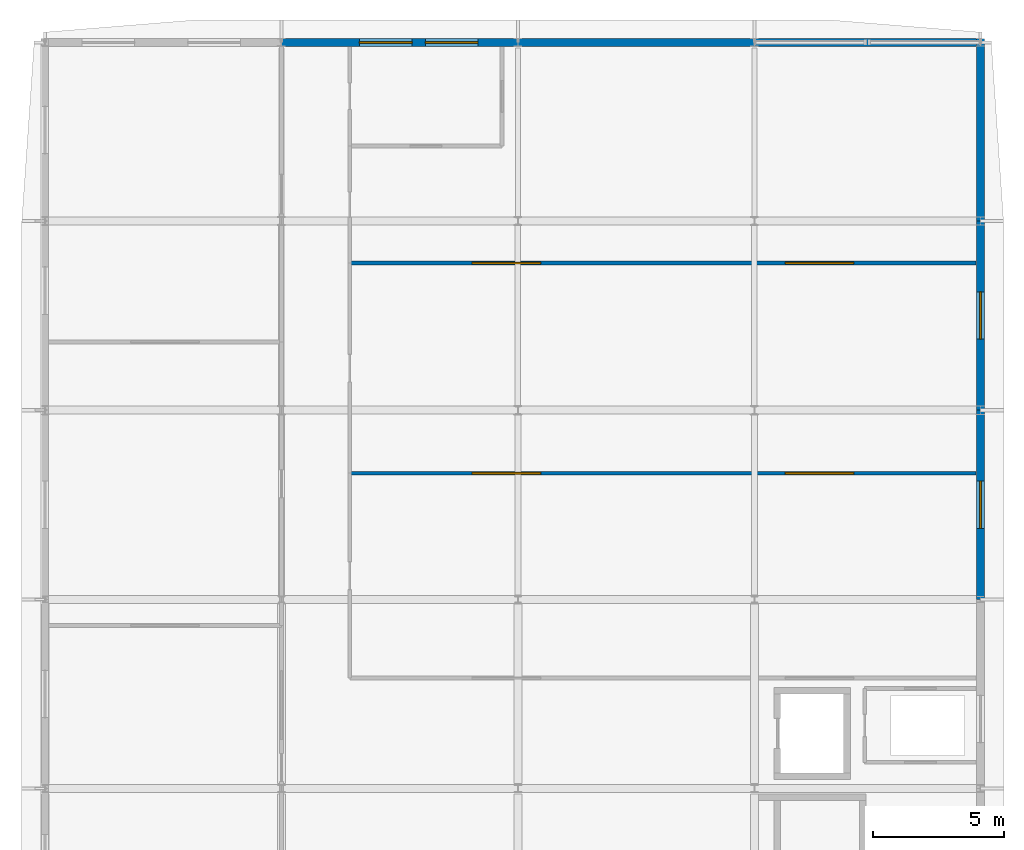
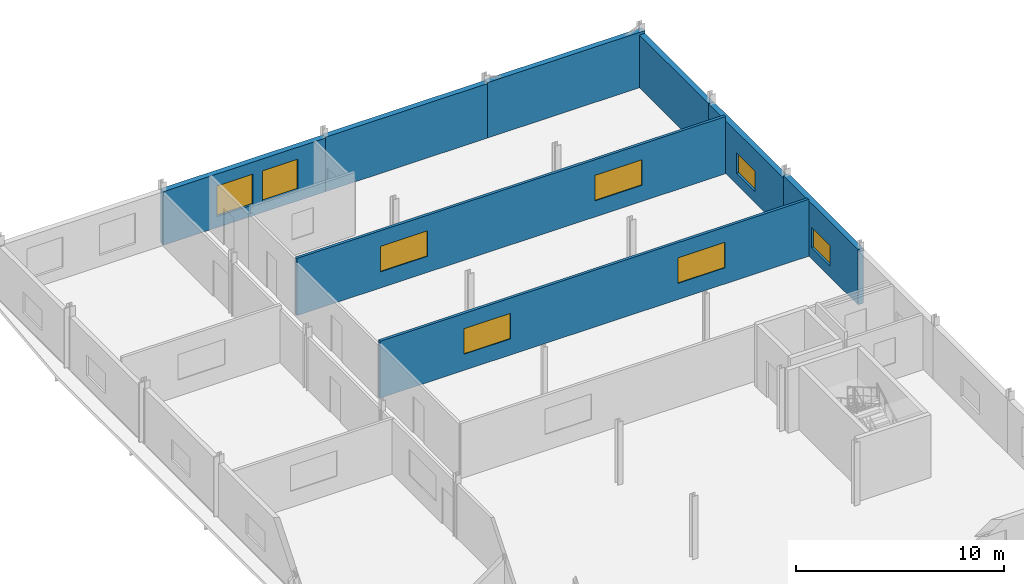
# One storey, part 26 of 30: 8 walls, 8 windows, 8 openings.
"""IFC4 building model written with IfcOpenShell, lengths in metres."""

from ifc_helpers import new_model, si_unit, direction, frame, frame_2d, origin, place, context, subcontext, project, spatial, rectangle, extrude, material, layer, layer_set, type_object, element, fill, save


model = new_model("IFC4")

# Units and contexts
model_context = context("Model", 3, precision=1e-05, world=origin(), true_north=direction((0.0, 1.0)))
body_context = subcontext(model_context, "Body", "Model", "MODEL_VIEW")
ifc_project = project(units=[si_unit("LENGTHUNIT", "METRE"), si_unit("AREAUNIT", "SQUARE_METRE"), si_unit("VOLUMEUNIT", "CUBIC_METRE"), si_unit("PLANEANGLEUNIT", "RADIAN"), si_unit("MASSUNIT", "GRAM", prefix="KILO")], contexts=[model_context])

# Site, building, storey
site_placement = place(None, origin())
site = spatial("IfcSite", under=ifc_project, at=site_placement, CompositionType="ELEMENT")
building_placement = place(site_placement, origin())
building = spatial("IfcBuilding", under=site, at=building_placement, Name="Vinh Khe Railworks Police Headquarters", CompositionType="ELEMENT")
storey_placement = place(building_placement, frame((0.0, 0.0, 21.0)))
storey = spatial("IfcBuildingStorey", under=building, at=storey_placement, Name="L05", CompositionType="ELEMENT", Elevation=21.0)

# Wall, opening, window
ifc_material_1 = material(Name="Clay brickwork", Category="masonry")
ifc_layer_1 = layer(ifc_material_1, 0.300048828125)
ifc_layer_set_1 = layer_set([ifc_layer_1], Name="Clay brickwork")
wall_type_1 = type_object("IfcWallType", Name="EW-BRK-300", PredefinedType="SOLIDWALL", material=ifc_layer_set_1)
wall_1_placement = place(storey_placement, frame((113.60009765625, 145.199951171875, 0.0), z_axis=(0.0, 0.0, 1.0), x_axis=(0.0, 1.0, 0.0)))
wall_1 = element("IfcWall", 1, at=wall_1_placement, inside=storey, type_object=wall_type_1, Name="Exterior Brick Wall EW-L05-V6E-04", PredefinedType="SOLIDWALL", context=body_context, shape_type="SweptSolid", body=[
    extrude(rectangle(XDim=7.199951171875, YDim=0.300048828125, at=frame_2d((3.60009765625, 0.0))), origin(), (0.0, 0.0, 1.0), 3.2451171875),
])
opening_1_placement = place(wall_1_placement, frame((2.699951171875, 0.0, 0.64990234375)))
opening_1 = element("IfcOpeningElement", 2, at=opening_1_placement, cuts=wall_1, Name="Opening WN-08", PredefinedType="OPENING", context=body_context, shape_type="SweptSolid", body=[
    extrude(rectangle(XDim=1.800048828125, YDim=1.199951171875, at=frame_2d((0.89990234375, 0.60009765625))), frame((0.0, 0.1650390625, 0.0), z_axis=(0.0, -1.0, 0.0), x_axis=(1.0, 0.0, 0.0)), (0.0, 0.0, 1.0), 0.329833984375),
])
ifc_material_2 = material(Name="Double-glazed solar-control glass in dark steel frame", Category="steel")
window_type_1 = type_object("IfcWindowType", Name="WIN-WN-08", PartitioningType="SINGLE_PANEL", PredefinedType="WINDOW", material=ifc_material_2)
window_1_placement = place(opening_1_placement, origin())
window_1 = element("IfcWindow", 3, at=window_1_placement, inside=storey, type_object=window_type_1, Name="Casement Window WN-08", OverallHeight=1.199951171875, OverallWidth=1.800048828125, PartitioningType="SINGLE_PANEL", PredefinedType="WINDOW", context=body_context, shape_type="SweptSolid", body=[
    extrude(rectangle(XDim=1.800048828125, YDim=1.199951171875, at=frame_2d((0.89990234375, 0.60009765625))), frame((0.0, 0.030029296875, 0.0), z_axis=(0.0, -1.0, 0.0), x_axis=(1.0, 0.0, 0.0)), (0.0, 0.0, 1.0), 0.06005859375),
])
fill(opening_1, window_1)

wall_2_placement = place(storey_placement, frame((113.60009765625, 152.39990234375, 0.0), z_axis=(0.0, 0.0, 1.0), x_axis=(0.0, 1.0, 0.0)))
wall_2 = element("IfcWall", 4, at=wall_2_placement, inside=storey, type_object=wall_type_1, Name="Exterior Brick Wall EW-L05-V6E-05", PredefinedType="SOLIDWALL", context=body_context, shape_type="SweptSolid", body=[
    extrude(rectangle(XDim=7.2001953125, YDim=0.300048828125, at=frame_2d((3.60009765625, 0.0))), origin(), (0.0, 0.0, 1.0), 3.094970703125),
])
opening_2_placement = place(wall_2_placement, frame((2.699951171875, 0.0, 0.64990234375)))
opening_2 = element("IfcOpeningElement", 5, at=opening_2_placement, cuts=wall_2, Name="Opening WN-08", PredefinedType="OPENING", context=body_context, shape_type="SweptSolid", body=[
    extrude(rectangle(XDim=1.800048828125, YDim=1.199951171875, at=frame_2d((0.89990234375, 0.60009765625))), frame((0.0, 0.1650390625, 0.0), z_axis=(0.0, -1.0, 0.0), x_axis=(1.0, 0.0, 0.0)), (0.0, 0.0, 1.0), 0.329833984375),
])
window_2_placement = place(opening_2_placement, origin())
window_2 = element("IfcWindow", 6, at=window_2_placement, inside=storey, type_object=window_type_1, Name="Casement Window WN-08", OverallHeight=1.199951171875, OverallWidth=1.800048828125, PartitioningType="SINGLE_PANEL", PredefinedType="WINDOW", context=body_context, shape_type="SweptSolid", body=[
    extrude(rectangle(XDim=1.800048828125, YDim=1.199951171875, at=frame_2d((0.89990234375, 0.60009765625))), frame((0.0, 0.030029296875, 0.0), z_axis=(0.0, -1.0, 0.0), x_axis=(1.0, 0.0, 0.0)), (0.0, 0.0, 1.0), 0.06005859375),
])
fill(opening_2, window_2)

# Wall
wall_3_placement = place(storey_placement, frame((113.60009765625, 159.60009765625, 0.0), z_axis=(0.0, 0.0, 1.0), x_axis=(0.0, 1.0, 0.0)))
element("IfcWall", 7, at=wall_3_placement, inside=storey, type_object=wall_type_1, Name="Exterior Brick Wall EW-L05-V6E-06", PredefinedType="SOLIDWALL", context=body_context, shape_type="SweptSolid", body=[
    extrude(rectangle(XDim=6.949951171875, YDim=0.300048828125, at=frame_2d((3.47509765625, 0.0))), origin(), (0.0, 0.0, 1.0), 3.094970703125),
])

# Wall, openings, windows
wall_4_placement = place(storey_placement, frame((87.0, 166.39990234375, 0.0), z_axis=(0.0, 0.0, 1.0), x_axis=(1.0, 0.0, 0.0)))
wall_4 = element("IfcWall", 8, at=wall_4_placement, inside=storey, type_object=wall_type_1, Name="Exterior Brick Wall EW-L05-V6N-02", PredefinedType="SOLIDWALL", context=body_context, shape_type="SweptSolid", body=[
    extrude(rectangle(XDim=9.0, YDim=0.300048828125, at=frame_2d((4.5, 0.0))), origin(), (0.0, 0.0, 1.0), 3.155029296875),
])
opening_3_placement = place(wall_4_placement, frame((2.969970703125, 0.0, 0.64990234375)))
opening_3 = element("IfcOpeningElement", 9, at=opening_3_placement, cuts=wall_4, Name="Opening WN-04", PredefinedType="OPENING", context=body_context, shape_type="SweptSolid", body=[
    extrude(rectangle(XDim=2.0, YDim=1.800048828125, at=frame_2d((1.0, 0.89990234375))), frame((0.0, 0.1650390625, 0.0), z_axis=(0.0, -1.0, 0.0), x_axis=(1.0, 0.0, 0.0)), (0.0, 0.0, 1.0), 0.329833984375),
])
opening_4_placement = place(wall_4_placement, frame((5.47998046875, 0.0, 0.64990234375)))
opening_4 = element("IfcOpeningElement", 10, at=opening_4_placement, cuts=wall_4, Name="Opening WN-04", PredefinedType="OPENING", context=body_context, shape_type="SweptSolid", body=[
    extrude(rectangle(XDim=2.0, YDim=1.800048828125, at=frame_2d((1.0, 0.89990234375))), frame((0.0, 0.1650390625, 0.0), z_axis=(0.0, -1.0, 0.0), x_axis=(1.0, 0.0, 0.0)), (0.0, 0.0, 1.0), 0.329833984375),
])
window_type_2 = type_object("IfcWindowType", Name="WIN-WN-04", PartitioningType="DOUBLE_PANEL_VERTICAL", PredefinedType="WINDOW", material=ifc_material_2)
window_3_placement = place(opening_3_placement, origin())
window_3 = element("IfcWindow", 11, at=window_3_placement, inside=storey, type_object=window_type_2, Name="Casement Window WN-04", OverallHeight=1.800048828125, OverallWidth=2.0, PartitioningType="SINGLE_PANEL", PredefinedType="WINDOW", context=body_context, shape_type="SweptSolid", body=[
    extrude(rectangle(XDim=2.0, YDim=1.800048828125, at=frame_2d((1.0, 0.89990234375))), frame((0.0, 0.030029296875, 0.0), z_axis=(0.0, -1.0, 0.0), x_axis=(1.0, 0.0, 0.0)), (0.0, 0.0, 1.0), 0.06005859375),
])
fill(opening_3, window_3)
window_4_placement = place(opening_4_placement, origin())
window_4 = element("IfcWindow", 12, at=window_4_placement, inside=storey, type_object=window_type_2, Name="Casement Window WN-04", OverallHeight=1.800048828125, OverallWidth=2.0, PartitioningType="SINGLE_PANEL", PredefinedType="WINDOW", context=body_context, shape_type="SweptSolid", body=[
    extrude(rectangle(XDim=2.0, YDim=1.800048828125, at=frame_2d((1.0, 0.89990234375))), frame((0.0, 0.030029296875, 0.0), z_axis=(0.0, -1.0, 0.0), x_axis=(1.0, 0.0, 0.0)), (0.0, 0.0, 1.0), 0.06005859375),
])
fill(opening_4, window_4)

# Walls
wall_5_placement = place(storey_placement, frame((96.0, 166.39990234375, 0.0), z_axis=(0.0, 0.0, 1.0), x_axis=(1.0, 0.0, 0.0)))
element("IfcWall", 13, at=wall_5_placement, inside=storey, type_object=wall_type_1, Name="Exterior Brick Wall EW-L05-V6N-03", PredefinedType="SOLIDWALL", context=body_context, shape_type="SweptSolid", body=[
    extrude(rectangle(XDim=9.0, YDim=0.300048828125, at=frame_2d((4.5, 0.0))), origin(), (0.0, 0.0, 1.0), 3.205078125),
])
wall_6_placement = place(storey_placement, frame((105.0, 166.39990234375, 0.0), z_axis=(0.0, 0.0, 1.0), x_axis=(1.0, 0.0, 0.0)))
element("IfcWall", 14, at=wall_6_placement, inside=storey, type_object=wall_type_1, Name="Exterior Brick Wall EW-L05-V6N-04", PredefinedType="SOLIDWALL", context=body_context, shape_type="SweptSolid", body=[
    extrude(rectangle(XDim=8.75, YDim=0.300048828125, at=frame_2d((4.375, 0.0))), origin(), (0.0, 0.0, 1.0), 3.2548828125),
])

# Wall, openings, windows
ifc_material_3 = material(Name="Gypsum plasterboard on steel stud", Category="steel")
ifc_layer_2 = layer(ifc_material_3, 0.1201171875)
ifc_layer_set_2 = layer_set([ifc_layer_2], Name="Gypsum plasterboard on steel stud")
wall_type_2 = type_object("IfcWallType", Name="IW-PART-120", PredefinedType="PARTITIONING", material=ifc_layer_set_2)
wall_7_placement = place(storey_placement, frame((89.60009765625, 150.0, 0.0), z_axis=(0.0, 0.0, 1.0), x_axis=(1.0, 0.0, 0.0)))
wall_7 = element("IfcWall", 15, at=wall_7_placement, inside=storey, type_object=wall_type_2, Name="Interior Partition W-L05-V6B-ASSM2-DIV", PredefinedType="PARTITIONING", context=body_context, shape_type="SweptSolid", body=[
    extrude(rectangle(XDim=23.83984375, YDim=0.14990234375, at=frame_2d((11.919921875, 0.0))), origin(), (0.0, 0.0, 1.0), 3.344970703125),
])
opening_5_placement = place(wall_7_placement, frame((4.659912109375, 0.0, 0.949951171875)))
opening_5 = element("IfcOpeningElement", 16, at=opening_5_placement, cuts=wall_7, Name="Opening WN-07", PredefinedType="OPENING", context=body_context, shape_type="SweptSolid", body=[
    extrude(rectangle(XDim=2.60009765625, YDim=1.5, at=frame_2d((1.300048828125, 0.75))), frame((0.0, 0.08984375, 0.0), z_axis=(0.0, -1.0, 0.0), x_axis=(1.0, 0.0, 0.0)), (0.0, 0.0, 1.0), 0.1796875),
])
opening_6_placement = place(wall_7_placement, frame((16.580078125, 0.0, 0.949951171875)))
opening_6 = element("IfcOpeningElement", 17, at=opening_6_placement, cuts=wall_7, Name="Opening WN-07", PredefinedType="OPENING", context=body_context, shape_type="SweptSolid", body=[
    extrude(rectangle(XDim=2.60009765625, YDim=1.5, at=frame_2d((1.300048828125, 0.75))), frame((0.0, 0.08984375, 0.0), z_axis=(0.0, -1.0, 0.0), x_axis=(1.0, 0.0, 0.0)), (0.0, 0.0, 1.0), 0.1796875),
])
window_type_3 = type_object("IfcWindowType", Name="WIN-WN-07", PartitioningType="DOUBLE_PANEL_HORIZONTAL", PredefinedType="WINDOW", material=ifc_material_2)
window_5_placement = place(opening_5_placement, origin())
window_5 = element("IfcWindow", 18, at=window_5_placement, inside=storey, type_object=window_type_3, Name="Interior Acoustic Vision Window WN-07", OverallHeight=1.5, OverallWidth=2.60009765625, PartitioningType="SINGLE_PANEL", PredefinedType="WINDOW", context=body_context, shape_type="SweptSolid", body=[
    extrude(rectangle(XDim=2.60009765625, YDim=1.5, at=frame_2d((1.300048828125, 0.75))), frame((0.0, 0.030029296875, 0.0), z_axis=(0.0, -1.0, 0.0), x_axis=(1.0, 0.0, 0.0)), (0.0, 0.0, 1.0), 0.06005859375),
])
fill(opening_5, window_5)
window_6_placement = place(opening_6_placement, origin())
window_6 = element("IfcWindow", 19, at=window_6_placement, inside=storey, type_object=window_type_3, Name="Interior Acoustic Vision Window WN-07", OverallHeight=1.5, OverallWidth=2.60009765625, PartitioningType="SINGLE_PANEL", PredefinedType="WINDOW", context=body_context, shape_type="SweptSolid", body=[
    extrude(rectangle(XDim=2.60009765625, YDim=1.5, at=frame_2d((1.300048828125, 0.75))), frame((0.0, 0.030029296875, 0.0), z_axis=(0.0, -1.0, 0.0), x_axis=(1.0, 0.0, 0.0)), (0.0, 0.0, 1.0), 0.06005859375),
])
fill(opening_6, window_6)

wall_8_placement = place(storey_placement, frame((89.60009765625, 158.0, 0.0), z_axis=(0.0, 0.0, 1.0), x_axis=(1.0, 0.0, 0.0)))
wall_8 = element("IfcWall", 20, at=wall_8_placement, inside=storey, type_object=wall_type_2, Name="Interior Partition W-L05-V6B-V6WC5-DIV", PredefinedType="PARTITIONING", context=body_context, shape_type="SweptSolid", body=[
    extrude(rectangle(XDim=23.83984375, YDim=0.14990234375, at=frame_2d((11.919921875, 0.0))), origin(), (0.0, 0.0, 1.0), 3.364990234375),
])
opening_7_placement = place(wall_8_placement, frame((4.659912109375, 0.0, 0.949951171875)))
opening_7 = element("IfcOpeningElement", 21, at=opening_7_placement, cuts=wall_8, Name="Opening WN-07", PredefinedType="OPENING", context=body_context, shape_type="SweptSolid", body=[
    extrude(rectangle(XDim=2.60009765625, YDim=1.5, at=frame_2d((1.300048828125, 0.75))), frame((0.0, 0.08984375, 0.0), z_axis=(0.0, -1.0, 0.0), x_axis=(1.0, 0.0, 0.0)), (0.0, 0.0, 1.0), 0.1796875),
])
opening_8_placement = place(wall_8_placement, frame((16.580078125, 0.0, 0.949951171875)))
opening_8 = element("IfcOpeningElement", 22, at=opening_8_placement, cuts=wall_8, Name="Opening WN-07", PredefinedType="OPENING", context=body_context, shape_type="SweptSolid", body=[
    extrude(rectangle(XDim=2.60009765625, YDim=1.5, at=frame_2d((1.300048828125, 0.75))), frame((0.0, 0.08984375, 0.0), z_axis=(0.0, -1.0, 0.0), x_axis=(1.0, 0.0, 0.0)), (0.0, 0.0, 1.0), 0.1796875),
])
window_7_placement = place(opening_7_placement, origin())
window_7 = element("IfcWindow", 23, at=window_7_placement, inside=storey, type_object=window_type_3, Name="Interior Acoustic Vision Window WN-07", OverallHeight=1.5, OverallWidth=2.60009765625, PartitioningType="SINGLE_PANEL", PredefinedType="WINDOW", context=body_context, shape_type="SweptSolid", body=[
    extrude(rectangle(XDim=2.60009765625, YDim=1.5, at=frame_2d((1.300048828125, 0.75))), frame((0.0, 0.030029296875, 0.0), z_axis=(0.0, -1.0, 0.0), x_axis=(1.0, 0.0, 0.0)), (0.0, 0.0, 1.0), 0.06005859375),
])
fill(opening_7, window_7)
window_8_placement = place(opening_8_placement, origin())
window_8 = element("IfcWindow", 24, at=window_8_placement, inside=storey, type_object=window_type_3, Name="Interior Acoustic Vision Window WN-07", OverallHeight=1.5, OverallWidth=2.60009765625, PartitioningType="SINGLE_PANEL", PredefinedType="WINDOW", context=body_context, shape_type="SweptSolid", body=[
    extrude(rectangle(XDim=2.60009765625, YDim=1.5, at=frame_2d((1.300048828125, 0.75))), frame((0.0, 0.030029296875, 0.0), z_axis=(0.0, -1.0, 0.0), x_axis=(1.0, 0.0, 0.0)), (0.0, 0.0, 1.0), 0.06005859375),
])
fill(opening_8, window_8)

save(model, "model.ifc")
